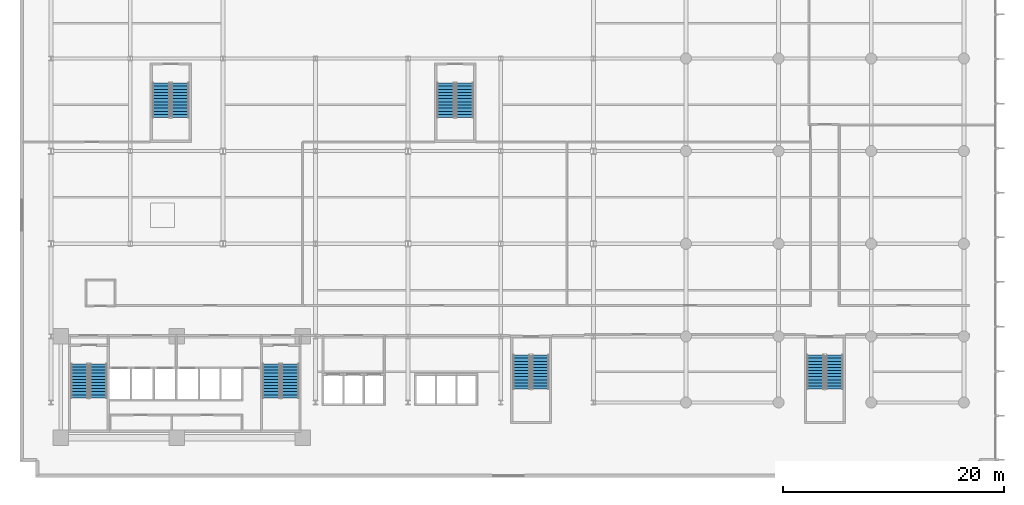
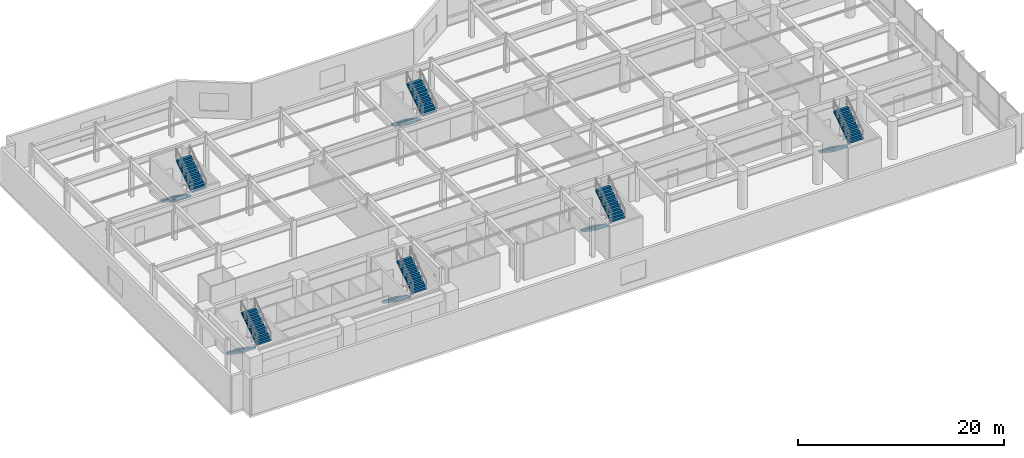
# One storey, part 19 of 26: 12 stair flights, 6 elements without a shape of their own.
"""IFC4 building model written with IfcOpenShell, lengths in metres."""

from ifc_helpers import new_model, si_unit, direction, frame, origin, place, context, subcontext, project, spatial, polyline, outline, extrude, material, layer, layer_set, type_object, element, aggregate, save


model = new_model("IFC4")

# Units and contexts
model_context = context("Model", 3, precision=1e-05, world=origin(), true_north=direction((0.0, 1.0)))
body_context = subcontext(model_context, "Body", "Model", "MODEL_VIEW")
ifc_project = project(units=[si_unit("LENGTHUNIT", "METRE"), si_unit("AREAUNIT", "SQUARE_METRE"), si_unit("VOLUMEUNIT", "CUBIC_METRE"), si_unit("PLANEANGLEUNIT", "RADIAN"), si_unit("MASSUNIT", "GRAM", prefix="KILO")], contexts=[model_context])

# Site, building, storey
site_placement = place(None, origin())
site = spatial("IfcSite", under=ifc_project, at=site_placement, CompositionType="ELEMENT")
building_placement = place(site_placement, origin())
building = spatial("IfcBuilding", under=site, at=building_placement, Name="Varnakote Quay Hospital", CompositionType="ELEMENT")
storey_placement = place(building_placement, frame((0.0, 0.0, 13.5)))
storey = spatial("IfcBuildingStorey", under=building, at=storey_placement, Name="L03", CompositionType="ELEMENT", Elevation=13.5)

# Stair, stair flights
ifc_material_1 = material(Name="Concrete N40 (f'c 40 MPa)", Category="concrete")
stair_type_1 = type_object("IfcStairType", Name="STR-CORE-1580", PredefinedType="HALF_TURN_STAIR", material=ifc_material_1)
stair_1_placement = place(storey_placement, origin())
stair_1 = element("IfcStair", 1, at=stair_1_placement, inside=storey, type_object=stair_type_1, Name="L03 Fire-Isolated Exit Stair ST-01", PredefinedType="HALF_TURN_STAIR")
ifc_material_2 = material(Name="Concrete N40 (f'c 40 MPa)", Category="concrete")
ifc_layer_1 = layer(ifc_material_2, 0.159912109375)
ifc_layer_set_1 = layer_set([ifc_layer_1], Name="Concrete N40 (f'c 40 MPa)")
stair_flight_type_1 = type_object("IfcStairFlightType", Name="FLT-CORE-1580", PredefinedType="STRAIGHT", material=ifc_layer_set_1)
stair_flight_1_placement = place(storey_placement, frame((3.7900390625, 9.5, 0.0), z_axis=(0.0, 0.0, 1.0), x_axis=(0.0, -1.0, 0.0)))
stair_flight_1 = element("IfcStairFlight", 2, at=stair_flight_1_placement, type_object=stair_flight_type_1, Name="ST-01 flight 1", NumberOfRisers=12, NumberOfTreads=11, PredefinedType="STRAIGHT", RiserHeight=0.1875, TreadLength=0.28, context=body_context, shape_type="SweptSolid", body=[
    extrude(outline(polyline([(0.0, 0.0), (0.0, 0.1875), (0.280029296875, 0.1875), (0.280029296875, 0.375), (0.56005859375, 0.375), (0.56005859375, 0.5625), (0.840087890625, 0.5625), (0.840087890625, 0.75), (1.1201171875, 0.75), (1.1201171875, 0.9375), (1.39990234375, 0.9375), (1.39990234375, 1.125), (1.679931640625, 1.125), (1.679931640625, 1.3125), (1.9599609375, 1.3125), (1.9599609375, 1.5), (2.239990234375, 1.5), (2.239990234375, 1.6875), (2.52001953125, 1.6875), (2.52001953125, 1.875), (2.800048828125, 1.875), (2.800048828125, 2.0625), (3.080078125, 2.0625), (3.080078125, 2.25), (3.080078125, 1.8701171875), (0.287353515625, 0.0), (0.0, 0.0)])), frame((0.0, 0.7900390625, 0.0), z_axis=(0.0, -1.0, 0.0), x_axis=(1.0, 0.0, 0.0)), (0.0, 0.0, 1.0), 1.580078125),
])
stair_flight_2_placement = place(storey_placement, frame((5.510009765625, 6.419921875, 2.25), z_axis=(0.0, 0.0, 1.0), x_axis=(0.0, 1.0, 0.0)))
stair_flight_2 = element("IfcStairFlight", 3, at=stair_flight_2_placement, type_object=stair_flight_type_1, Name="ST-01 flight 2", NumberOfRisers=12, NumberOfTreads=11, PredefinedType="STRAIGHT", RiserHeight=0.1875, TreadLength=0.28, context=body_context, shape_type="SweptSolid", body=[
    extrude(outline(polyline([(0.0, 0.0), (0.0, 0.1875), (0.280029296875, 0.1875), (0.280029296875, 0.375), (0.56005859375, 0.375), (0.56005859375, 0.5625), (0.840087890625, 0.5625), (0.840087890625, 0.75), (1.1201171875, 0.75), (1.1201171875, 0.9375), (1.39990234375, 0.9375), (1.39990234375, 1.125), (1.679931640625, 1.125), (1.679931640625, 1.3125), (1.9599609375, 1.3125), (1.9599609375, 1.5), (2.239990234375, 1.5), (2.239990234375, 1.6875), (2.52001953125, 1.6875), (2.52001953125, 1.875), (2.800048828125, 1.875), (2.800048828125, 2.0625), (3.080078125, 2.0625), (3.080078125, 2.25), (3.080078125, 1.8701171875), (0.287353515625, 0.0), (0.0, 0.0)])), frame((0.0, 0.7900390625, 0.0), z_axis=(0.0, -1.0, 0.0), x_axis=(1.0, 0.0, 0.0)), (0.0, 0.0, 1.0), 1.580078125),
])
aggregate(stair_1, [stair_flight_1, stair_flight_2])

stair_2_placement = place(storey_placement, origin())
stair_2 = element("IfcStair", 4, at=stair_2_placement, inside=storey, type_object=stair_type_1, Name="L03 Fire-Isolated Exit Stair ST-02", PredefinedType="HALF_TURN_STAIR")
stair_flight_3_placement = place(storey_placement, frame((21.18994140625, 9.5, 0.0), z_axis=(0.0, 0.0, 1.0), x_axis=(0.0, -1.0, 0.0)))
stair_flight_3 = element("IfcStairFlight", 5, at=stair_flight_3_placement, type_object=stair_flight_type_1, Name="ST-02 flight 1", NumberOfRisers=12, NumberOfTreads=11, PredefinedType="STRAIGHT", RiserHeight=0.1875, TreadLength=0.28, context=body_context, shape_type="SweptSolid", body=[
    extrude(outline(polyline([(0.0, 0.0), (0.0, 0.1875), (0.280029296875, 0.1875), (0.280029296875, 0.375), (0.56005859375, 0.375), (0.56005859375, 0.5625), (0.840087890625, 0.5625), (0.840087890625, 0.75), (1.1201171875, 0.75), (1.1201171875, 0.9375), (1.39990234375, 0.9375), (1.39990234375, 1.125), (1.679931640625, 1.125), (1.679931640625, 1.3125), (1.9599609375, 1.3125), (1.9599609375, 1.5), (2.239990234375, 1.5), (2.239990234375, 1.6875), (2.52001953125, 1.6875), (2.52001953125, 1.875), (2.800048828125, 1.875), (2.800048828125, 2.0625), (3.080078125, 2.0625), (3.080078125, 2.25), (3.080078125, 1.8701171875), (0.287353515625, 0.0), (0.0, 0.0)])), frame((0.0, 0.7900390625, 0.0), z_axis=(0.0, -1.0, 0.0), x_axis=(1.0, 0.0, 0.0)), (0.0, 0.0, 1.0), 1.580078125),
])
stair_flight_4_placement = place(storey_placement, frame((22.909912109375, 6.419921875, 2.25), z_axis=(0.0, 0.0, 1.0), x_axis=(0.0, 1.0, 0.0)))
stair_flight_4 = element("IfcStairFlight", 6, at=stair_flight_4_placement, type_object=stair_flight_type_1, Name="ST-02 flight 2", NumberOfRisers=12, NumberOfTreads=11, PredefinedType="STRAIGHT", RiserHeight=0.1875, TreadLength=0.28, context=body_context, shape_type="SweptSolid", body=[
    extrude(outline(polyline([(0.0, 0.0), (0.0, 0.1875), (0.280029296875, 0.1875), (0.280029296875, 0.375), (0.56005859375, 0.375), (0.56005859375, 0.5625), (0.840087890625, 0.5625), (0.840087890625, 0.75), (1.1201171875, 0.75), (1.1201171875, 0.9375), (1.39990234375, 0.9375), (1.39990234375, 1.125), (1.679931640625, 1.125), (1.679931640625, 1.3125), (1.9599609375, 1.3125), (1.9599609375, 1.5), (2.239990234375, 1.5), (2.239990234375, 1.6875), (2.52001953125, 1.6875), (2.52001953125, 1.875), (2.800048828125, 1.875), (2.800048828125, 2.0625), (3.080078125, 2.0625), (3.080078125, 2.25), (3.080078125, 1.8701171875), (0.287353515625, 0.0), (0.0, 0.0)])), frame((0.0, 0.7900390625, 0.0), z_axis=(0.0, -1.0, 0.0), x_axis=(1.0, 0.0, 0.0)), (0.0, 0.0, 1.0), 1.580078125),
])
aggregate(stair_2, [stair_flight_3, stair_flight_4])

stair_3_placement = place(storey_placement, origin())
stair_3 = element("IfcStair", 7, at=stair_3_placement, inside=storey, type_object=stair_type_1, Name="L03 Fire-Isolated Exit Stair ST-03", PredefinedType="HALF_TURN_STAIR")
stair_flight_5_placement = place(storey_placement, frame((43.889892578125, 10.300048828125, 0.0), z_axis=(0.0, 0.0, 1.0), x_axis=(0.0, -1.0, 0.0)))
stair_flight_5 = element("IfcStairFlight", 8, at=stair_flight_5_placement, type_object=stair_flight_type_1, Name="ST-03 flight 1", NumberOfRisers=12, NumberOfTreads=11, PredefinedType="STRAIGHT", RiserHeight=0.1875, TreadLength=0.28, context=body_context, shape_type="SweptSolid", body=[
    extrude(outline(polyline([(0.0, 0.0), (0.0, 0.1875), (0.280029296875, 0.1875), (0.280029296875, 0.375), (0.56005859375, 0.375), (0.56005859375, 0.5625), (0.840087890625, 0.5625), (0.840087890625, 0.75), (1.1201171875, 0.75), (1.1201171875, 0.9375), (1.39990234375, 0.9375), (1.39990234375, 1.125), (1.679931640625, 1.125), (1.679931640625, 1.3125), (1.9599609375, 1.3125), (1.9599609375, 1.5), (2.239990234375, 1.5), (2.239990234375, 1.6875), (2.52001953125, 1.6875), (2.52001953125, 1.875), (2.800048828125, 1.875), (2.800048828125, 2.0625), (3.080078125, 2.0625), (3.080078125, 2.25), (3.080078125, 1.8701171875), (0.287353515625, 0.0), (0.0, 0.0)])), frame((0.0, 0.7900390625, 0.0), z_axis=(0.0, -1.0, 0.0), x_axis=(1.0, 0.0, 0.0)), (0.0, 0.0, 1.0), 1.580078125),
])
stair_flight_6_placement = place(storey_placement, frame((45.610107421875, 7.219970703125, 2.25), z_axis=(0.0, 0.0, 1.0), x_axis=(0.0, 1.0, 0.0)))
stair_flight_6 = element("IfcStairFlight", 9, at=stair_flight_6_placement, type_object=stair_flight_type_1, Name="ST-03 flight 2", NumberOfRisers=12, NumberOfTreads=11, PredefinedType="STRAIGHT", RiserHeight=0.1875, TreadLength=0.28, context=body_context, shape_type="SweptSolid", body=[
    extrude(outline(polyline([(0.0, 0.0), (0.0, 0.1875), (0.280029296875, 0.1875), (0.280029296875, 0.375), (0.56005859375, 0.375), (0.56005859375, 0.5625), (0.840087890625, 0.5625), (0.840087890625, 0.75), (1.1201171875, 0.75), (1.1201171875, 0.9375), (1.39990234375, 0.9375), (1.39990234375, 1.125), (1.679931640625, 1.125), (1.679931640625, 1.3125), (1.9599609375, 1.3125), (1.9599609375, 1.5), (2.239990234375, 1.5), (2.239990234375, 1.6875), (2.52001953125, 1.6875), (2.52001953125, 1.875), (2.800048828125, 1.875), (2.800048828125, 2.0625), (3.080078125, 2.0625), (3.080078125, 2.25), (3.080078125, 1.8701171875), (0.287353515625, 0.0), (0.0, 0.0)])), frame((0.0, 0.7900390625, 0.0), z_axis=(0.0, -1.0, 0.0), x_axis=(1.0, 0.0, 0.0)), (0.0, 0.0, 1.0), 1.580078125),
])
aggregate(stair_3, [stair_flight_5, stair_flight_6])

stair_4_placement = place(storey_placement, origin())
stair_4 = element("IfcStair", 10, at=stair_4_placement, inside=storey, type_object=stair_type_1, Name="L03 East Podium Fire-Isolated Exit Stair ST-06", PredefinedType="HALF_TURN_STAIR")
stair_flight_7_placement = place(storey_placement, frame((70.5400390625, 10.300048828125, 0.0), z_axis=(0.0, 0.0, 1.0), x_axis=(0.0, -1.0, 0.0)))
stair_flight_7 = element("IfcStairFlight", 11, at=stair_flight_7_placement, type_object=stair_flight_type_1, Name="ST-06 flight 1", NumberOfRisers=12, NumberOfTreads=11, PredefinedType="STRAIGHT", RiserHeight=0.1875, TreadLength=0.28, context=body_context, shape_type="SweptSolid", body=[
    extrude(outline(polyline([(0.0, 0.0), (0.0, 0.1875), (0.280029296875, 0.1875), (0.280029296875, 0.375), (0.56005859375, 0.375), (0.56005859375, 0.5625), (0.840087890625, 0.5625), (0.840087890625, 0.75), (1.1201171875, 0.75), (1.1201171875, 0.9375), (1.39990234375, 0.9375), (1.39990234375, 1.125), (1.679931640625, 1.125), (1.679931640625, 1.3125), (1.9599609375, 1.3125), (1.9599609375, 1.5), (2.239990234375, 1.5), (2.239990234375, 1.6875), (2.52001953125, 1.6875), (2.52001953125, 1.875), (2.800048828125, 1.875), (2.800048828125, 2.0625), (3.080078125, 2.0625), (3.080078125, 2.25), (3.080078125, 1.8701171875), (0.287353515625, 0.0), (0.0, 0.0)])), frame((0.0, 0.7900390625, 0.0), z_axis=(0.0, -1.0, 0.0), x_axis=(1.0, 0.0, 0.0)), (0.0, 0.0, 1.0), 1.580078125),
])
stair_flight_8_placement = place(storey_placement, frame((72.260009765625, 7.219970703125, 2.25), z_axis=(0.0, 0.0, 1.0), x_axis=(0.0, 1.0, 0.0)))
stair_flight_8 = element("IfcStairFlight", 12, at=stair_flight_8_placement, type_object=stair_flight_type_1, Name="ST-06 flight 2", NumberOfRisers=12, NumberOfTreads=11, PredefinedType="STRAIGHT", RiserHeight=0.1875, TreadLength=0.28, context=body_context, shape_type="SweptSolid", body=[
    extrude(outline(polyline([(0.0, 0.0), (0.0, 0.1875), (0.280029296875, 0.1875), (0.280029296875, 0.375), (0.56005859375, 0.375), (0.56005859375, 0.5625), (0.840087890625, 0.5625), (0.840087890625, 0.75), (1.1201171875, 0.75), (1.1201171875, 0.9375), (1.39990234375, 0.9375), (1.39990234375, 1.125), (1.679931640625, 1.125), (1.679931640625, 1.3125), (1.9599609375, 1.3125), (1.9599609375, 1.5), (2.239990234375, 1.5), (2.239990234375, 1.6875), (2.52001953125, 1.6875), (2.52001953125, 1.875), (2.800048828125, 1.875), (2.800048828125, 2.0625), (3.080078125, 2.0625), (3.080078125, 2.25), (3.080078125, 1.8701171875), (0.287353515625, 0.0), (0.0, 0.0)])), frame((0.0, 0.7900390625, 0.0), z_axis=(0.0, -1.0, 0.0), x_axis=(1.0, 0.0, 0.0)), (0.0, 0.0, 1.0), 1.580078125),
])
aggregate(stair_4, [stair_flight_7, stair_flight_8])

ifc_material_3 = material(Name="Concrete N40 (f'c 40 MPa)", Category="concrete")
stair_type_2 = type_object("IfcStairType", Name="STR-POD-1600", PredefinedType="HALF_TURN_STAIR", material=ifc_material_3)
stair_5_placement = place(storey_placement, origin())
stair_5 = element("IfcStair", 13, at=stair_5_placement, inside=storey, type_object=stair_type_2, Name="L03 Podium Diagnostic Stair ST-04", PredefinedType="HALF_TURN_STAIR")
ifc_material_4 = material(Name="Concrete N40 (f'c 40 MPa)", Category="concrete")
ifc_layer_2 = layer(ifc_material_4, 0.179931640625)
ifc_layer_set_2 = layer_set([ifc_layer_2], Name="Concrete N40 (f'c 40 MPa)")
stair_flight_type_2 = type_object("IfcStairFlightType", Name="FLT-POD-1600", PredefinedType="STRAIGHT", material=ifc_layer_set_2)
stair_flight_9_placement = place(storey_placement, frame((11.199951171875, 34.97998046875, 0.0), z_axis=(0.0, 0.0, 1.0), x_axis=(0.0, -1.0, 0.0)))
stair_flight_9 = element("IfcStairFlight", 14, at=stair_flight_9_placement, type_object=stair_flight_type_2, Name="ST-04 flight 1", NumberOfRisers=12, NumberOfTreads=11, PredefinedType="STRAIGHT", RiserHeight=0.1875, TreadLength=0.285, context=body_context, shape_type="SweptSolid", body=[
    extrude(outline(polyline([(0.0, 0.0), (0.0, 0.1875), (0.284912109375, 0.1875), (0.284912109375, 0.375), (0.570068359375, 0.375), (0.570068359375, 0.5625), (0.85498046875, 0.5625), (0.85498046875, 0.75), (1.139892578125, 0.75), (1.139892578125, 0.9375), (1.425048828125, 0.9375), (1.425048828125, 1.125), (1.7099609375, 1.125), (1.7099609375, 1.3125), (1.9951171875, 1.3125), (1.9951171875, 1.5), (2.280029296875, 1.5), (2.280029296875, 1.6875), (2.56494140625, 1.6875), (2.56494140625, 1.875), (2.85009765625, 1.875), (2.85009765625, 2.0625), (3.135009765625, 2.0625), (3.135009765625, 2.25), (3.135009765625, 1.84716796875), (0.327392578125, 0.0), (0.0, 0.0)])), frame((0.0, 0.800048828125, 0.0), z_axis=(0.0, -1.0, 0.0), x_axis=(1.0, 0.0, 0.0)), (0.0, 0.0, 1.0), 1.60009765625),
])
stair_flight_10_placement = place(storey_placement, frame((12.93994140625, 31.844970703125, 2.25), z_axis=(0.0, 0.0, 1.0), x_axis=(0.0, 1.0, 0.0)))
stair_flight_10 = element("IfcStairFlight", 15, at=stair_flight_10_placement, type_object=stair_flight_type_2, Name="ST-04 flight 2", NumberOfRisers=12, NumberOfTreads=11, PredefinedType="STRAIGHT", RiserHeight=0.1875, TreadLength=0.285, context=body_context, shape_type="SweptSolid", body=[
    extrude(outline(polyline([(0.0, 0.0), (0.0, 0.1875), (0.284912109375, 0.1875), (0.284912109375, 0.375), (0.570068359375, 0.375), (0.570068359375, 0.5625), (0.85498046875, 0.5625), (0.85498046875, 0.75), (1.139892578125, 0.75), (1.139892578125, 0.9375), (1.425048828125, 0.9375), (1.425048828125, 1.125), (1.7099609375, 1.125), (1.7099609375, 1.3125), (1.9951171875, 1.3125), (1.9951171875, 1.5), (2.280029296875, 1.5), (2.280029296875, 1.6875), (2.56494140625, 1.6875), (2.56494140625, 1.875), (2.85009765625, 1.875), (2.85009765625, 2.0625), (3.135009765625, 2.0625), (3.135009765625, 2.25), (3.135009765625, 1.84716796875), (0.327392578125, 0.0), (0.0, 0.0)])), frame((0.0, 0.800048828125, 0.0), z_axis=(0.0, -1.0, 0.0), x_axis=(1.0, 0.0, 0.0)), (0.0, 0.0, 1.0), 1.60009765625),
])
aggregate(stair_5, [stair_flight_9, stair_flight_10])

stair_6_placement = place(storey_placement, origin())
stair_6 = element("IfcStair", 16, at=stair_6_placement, inside=storey, type_object=stair_type_2, Name="L03 Podium Surgical Stair ST-05", PredefinedType="HALF_TURN_STAIR")
stair_flight_11_placement = place(storey_placement, frame((37.0, 34.97998046875, 0.0), z_axis=(0.0, 0.0, 1.0), x_axis=(0.0, -1.0, 0.0)))
stair_flight_11 = element("IfcStairFlight", 17, at=stair_flight_11_placement, type_object=stair_flight_type_2, Name="ST-05 flight 1", NumberOfRisers=12, NumberOfTreads=11, PredefinedType="STRAIGHT", RiserHeight=0.1875, TreadLength=0.285, context=body_context, shape_type="SweptSolid", body=[
    extrude(outline(polyline([(0.0, 0.0), (0.0, 0.1875), (0.284912109375, 0.1875), (0.284912109375, 0.375), (0.570068359375, 0.375), (0.570068359375, 0.5625), (0.85498046875, 0.5625), (0.85498046875, 0.75), (1.139892578125, 0.75), (1.139892578125, 0.9375), (1.425048828125, 0.9375), (1.425048828125, 1.125), (1.7099609375, 1.125), (1.7099609375, 1.3125), (1.9951171875, 1.3125), (1.9951171875, 1.5), (2.280029296875, 1.5), (2.280029296875, 1.6875), (2.56494140625, 1.6875), (2.56494140625, 1.875), (2.85009765625, 1.875), (2.85009765625, 2.0625), (3.135009765625, 2.0625), (3.135009765625, 2.25), (3.135009765625, 1.84716796875), (0.327392578125, 0.0), (0.0, 0.0)])), frame((0.0, 0.800048828125, 0.0), z_axis=(0.0, -1.0, 0.0), x_axis=(1.0, 0.0, 0.0)), (0.0, 0.0, 1.0), 1.60009765625),
])
stair_flight_12_placement = place(storey_placement, frame((38.739990234375, 31.844970703125, 2.25), z_axis=(0.0, 0.0, 1.0), x_axis=(0.0, 1.0, 0.0)))
stair_flight_12 = element("IfcStairFlight", 18, at=stair_flight_12_placement, type_object=stair_flight_type_2, Name="ST-05 flight 2", NumberOfRisers=12, NumberOfTreads=11, PredefinedType="STRAIGHT", RiserHeight=0.1875, TreadLength=0.285, context=body_context, shape_type="SweptSolid", body=[
    extrude(outline(polyline([(0.0, 0.0), (0.0, 0.1875), (0.284912109375, 0.1875), (0.284912109375, 0.375), (0.570068359375, 0.375), (0.570068359375, 0.5625), (0.85498046875, 0.5625), (0.85498046875, 0.75), (1.139892578125, 0.75), (1.139892578125, 0.9375), (1.425048828125, 0.9375), (1.425048828125, 1.125), (1.7099609375, 1.125), (1.7099609375, 1.3125), (1.9951171875, 1.3125), (1.9951171875, 1.5), (2.280029296875, 1.5), (2.280029296875, 1.6875), (2.56494140625, 1.6875), (2.56494140625, 1.875), (2.85009765625, 1.875), (2.85009765625, 2.0625), (3.135009765625, 2.0625), (3.135009765625, 2.25), (3.135009765625, 1.84716796875), (0.327392578125, 0.0), (0.0, 0.0)])), frame((0.0, 0.800048828125, 0.0), z_axis=(0.0, -1.0, 0.0), x_axis=(1.0, 0.0, 0.0)), (0.0, 0.0, 1.0), 1.60009765625),
])
aggregate(stair_6, [stair_flight_11, stair_flight_12])

save(model, "model.ifc")
